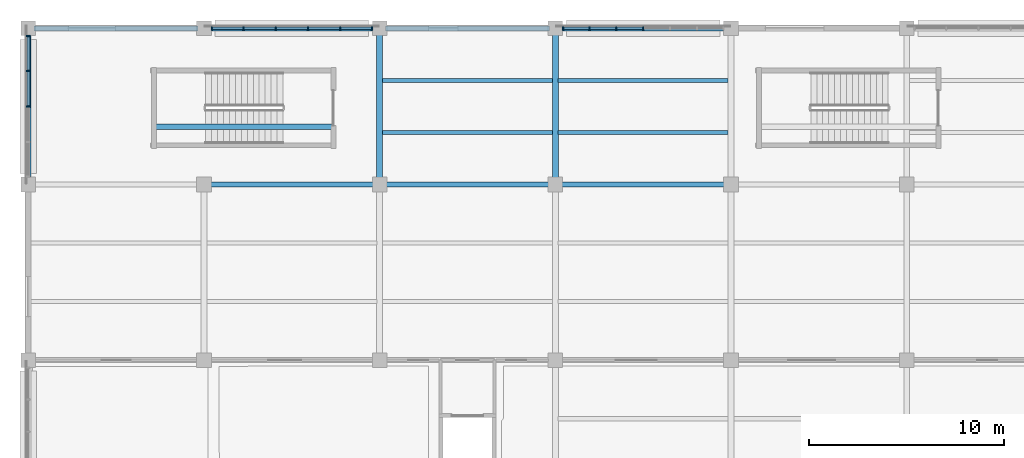
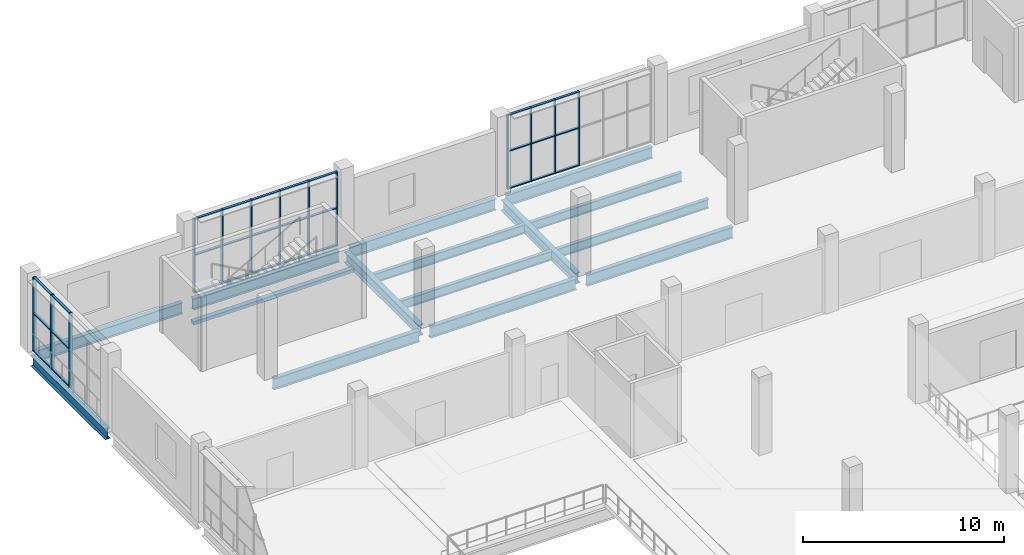
# One storey, part 54 of 179: 43 members, 15 beams, 3 elements without a shape of their own.
"""IFC4 building model written with IfcOpenShell, lengths in metres."""

import ifcopenshell
import ifcopenshell.guid

model = None  # the IFC model being written
_history = None  # IfcOwnerHistory: only IFC2X3 demands one
_inside = {}  # id of a spatial element -> (the spatial element, [elements in it])
_under = {}  # id of a project, library or spatial element -> (it, [spatial elements below it])
_declared = {}  # id of a project -> (the project, [libraries it declares])
_typed = {}  # id of a type object -> (the type object, [elements of that type])
_made_of = {}  # id of a material, layer set ... -> (it, [elements and type objects made of it])


def new_model(schema):
    """Start an empty IFC model of exactly this schema.

    Asked for "IFC4X3", IfcOpenShell would pick the latest addendum, in which some entities
    have other attributes; the version numbers below select the first issue.
    IFC2X3 requires an IfcOwnerHistory on every rooted entity: one is made here for all.
    """
    global model, _history
    if schema == "IFC4X3":
        model = ifcopenshell.file(schema_version=(4, 3, 0, 0))
    else:
        model = ifcopenshell.file(schema=schema)
    _inside.clear()
    _under.clear()
    _declared.clear()
    _typed.clear()
    _made_of.clear()
    _history = None
    if model.schema == "IFC2X3":
        org = make("IfcOrganization", Name="unknown")
        user = make(
            "IfcPersonAndOrganization",
            ThePerson=make("IfcPerson", FamilyName="unknown"),
            TheOrganization=org,
        )
        app = make(
            "IfcApplication",
            ApplicationDeveloper=org,
            Version="unknown",
            ApplicationFullName="unknown",
            ApplicationIdentifier="unknown",
        )
        _history = make(
            "IfcOwnerHistory",
            OwningUser=user,
            OwningApplication=app,
            ChangeAction="ADDED",
            CreationDate=0,
        )
    return model


def make(cls, **values):
    """One entity of the class cls with the attributes given. An attribute that is None is left unset."""
    return model.create_entity(
        cls, **{name: value for name, value in values.items() if value is not None}
    )


def rooted(cls, **values):
    """An entity with a GlobalId (a new one), such as an element, a storey or a relation."""
    return make(cls, GlobalId=ifcopenshell.guid.new(), OwnerHistory=_history, **values)


def si_unit(unit_type, name, prefix=None):
    """IfcSIUnit, for example si_unit("LENGTHUNIT", "METRE", prefix="MILLI")."""
    return make("IfcSIUnit", UnitType=unit_type, Prefix=prefix, Name=name)


def assignment(units):
    """IfcUnitAssignment: the units of a project."""
    return None if units is None else make("IfcUnitAssignment", Units=units)


def point(xyz):
    """IfcCartesianPoint."""
    return None if xyz is None else make("IfcCartesianPoint", Coordinates=xyz)


def direction(xyz):
    """IfcDirection."""
    return None if xyz is None else make("IfcDirection", DirectionRatios=xyz)


def frame(location, z_axis=None, x_axis=None):
    """IfcAxis2Placement3D, a coordinate frame: its origin and axes. An axis left out is left unset."""
    return make(
        "IfcAxis2Placement3D",
        Location=point(location),
        Axis=direction(z_axis),
        RefDirection=direction(x_axis),
    )


def frame_2d(location, x_axis=None):
    """IfcAxis2Placement2D, a coordinate frame in the plane: its origin and x axis."""
    return make(
        "IfcAxis2Placement2D", Location=point(location), RefDirection=direction(x_axis)
    )


def origin():
    """The frame at (0, 0, 0) with its axes left unset."""
    return frame((0.0, 0.0, 0.0))


def origin_2d():
    """The frame at (0, 0) in the plane with its x axis left unset."""
    return frame_2d((0.0, 0.0))


def place(relative_to, where):
    """IfcLocalPlacement: puts the frame where relative to a parent placement (None: the world)."""
    return make(
        "IfcLocalPlacement", PlacementRelTo=relative_to, RelativePlacement=where
    )


def context(
    kind, dimensions, precision=None, world=None, true_north=None, identifier=None
):
    """IfcGeometricRepresentationContext, for example the 3D "Model" context."""
    return make(
        "IfcGeometricRepresentationContext",
        ContextIdentifier=identifier,
        ContextType=kind,
        CoordinateSpaceDimension=dimensions,
        Precision=precision,
        WorldCoordinateSystem=world,
        TrueNorth=true_north,
    )


def subcontext(parent, identifier, kind, view, scale=None):
    """IfcGeometricRepresentationSubContext, for example "Body" below "Model"."""
    return make(
        "IfcGeometricRepresentationSubContext",
        ContextIdentifier=identifier,
        ContextType=kind,
        ParentContext=parent,
        TargetScale=scale,
        TargetView=view,
    )


def project(units=None, contexts=None):
    """IfcProject with its units and contexts."""
    return rooted(
        "IfcProject",
        Name="project",
        RepresentationContexts=contexts,
        UnitsInContext=assignment(units),
    )


def spatial(cls, under=None, at=None, **own):
    """A site, building, storey or space (cls), placed at a placement, below another one or the project."""
    s = rooted(cls, ObjectPlacement=at, **own)
    if under is not None:
        _under.setdefault(under.id(), (under, []))[1].append(s)
    return s


def profile(cls, at=None, kind="AREA", **sizes):
    """A parametric profile (cls). Its sizes go by their IFC names, for example OverallWidth=200.0."""
    return make(cls, ProfileType=kind, Position=at, **sizes)


def rectangle(**sizes):
    """IfcRectangleProfileDef."""
    return profile("IfcRectangleProfileDef", **sizes)


def i_section(**sizes):
    """IfcIShapeProfileDef."""
    return profile("IfcIShapeProfileDef", **sizes)


def extrude(swept, where, along, depth):
    """IfcExtrudedAreaSolid: the profile swept, set in the frame where, extruded along a direction by depth."""
    return make(
        "IfcExtrudedAreaSolid",
        SweptArea=swept,
        Position=where,
        ExtrudedDirection=direction(along),
        Depth=depth,
    )


def shape(context_of_items, identifier, shape_type, items):
    """IfcShapeRepresentation: the items that make up one representation, for example the "Body"."""
    return make(
        "IfcShapeRepresentation",
        ContextOfItems=context_of_items,
        RepresentationIdentifier=identifier,
        RepresentationType=shape_type,
        Items=items,
    )


def material(Name=None, Category=None):
    """IfcMaterial."""
    return make("IfcMaterial", Name=Name, Category=Category)


def material_profile(
    of_material, cross_section, Name=None, Category=None, Priority=None
):
    """IfcMaterialProfile: a cross section and its material."""
    return make(
        "IfcMaterialProfile",
        Name=Name,
        Material=of_material,
        Profile=cross_section,
        Priority=Priority,
        Category=Category,
    )


def profile_set(profiles, Name=None, composite=None):
    """IfcMaterialProfileSet."""
    return make(
        "IfcMaterialProfileSet",
        Name=Name,
        MaterialProfiles=profiles,
        CompositeProfile=composite,
    )


def made_of(thing, what):
    """Note that an element or type object is made of a material, layer set ...; save() writes the relation."""
    if what is not None:
        _made_of.setdefault(what.id(), (what, []))[1].append(thing)
    return thing


def type_object(cls, material=None, **own):
    """A type object (cls), such as IfcWallType, which elements share."""
    return made_of(rooted(cls, **own), material)


def element(
    cls,
    number,
    at=None,
    inside=None,
    cuts=None,
    type_object=None,
    material=None,
    context=None,
    identifier="Body",
    shape_type=None,
    held_by="IfcProductDefinitionShape",
    body=None,
    shapes=None,
    **own,
):
    """One element of the class cls, such as IfcWall. Its Tag is "e" and its number.

    at: its placement. inside: the storey or other place that contains it. cuts: it is an
    opening in that element (IfcRelVoidsElement). A single representation is given by context,
    identifier, shape_type and body (its items); several are given by shapes. held_by: the class
    of the entity that holds the representations. save() writes the other relations.
    """
    e = rooted(cls, Tag="e%d" % number, ObjectPlacement=at, **own)
    if body is not None:
        shapes = [shape(context, identifier, shape_type, body)]
    if shapes is not None:
        e.Representation = make(held_by, Representations=shapes)
    if inside is not None:
        _inside.setdefault(inside.id(), (inside, []))[1].append(e)
    if cuts is not None:
        rooted(
            "IfcRelVoidsElement", RelatingBuildingElement=cuts, RelatedOpeningElement=e
        )
    if type_object is not None:
        _typed.setdefault(type_object.id(), (type_object, []))[1].append(e)
    return made_of(e, material)


def aggregate(whole, parts):
    """IfcRelAggregates: a whole, such as a stair, and the parts it consists of."""
    return rooted("IfcRelAggregates", RelatingObject=whole, RelatedObjects=parts)


def save(model, path):
    """Write the relations noted so far, then the file.

    IfcRelAggregates (storeys below a building ...), IfcRelContainedInSpatialStructure (elements
    in a storey), IfcRelDefinesByType, IfcRelAssociatesMaterial and IfcRelDeclares: one each for
    every whole, place, type object, material and project.
    """
    for whole, parts in _under.values():
        aggregate(whole, parts)
    for where, things in _inside.values():
        rooted(
            "IfcRelContainedInSpatialStructure",
            RelatedElements=things,
            RelatingStructure=where,
        )
    for kind, things in _typed.values():
        rooted("IfcRelDefinesByType", RelatedObjects=things, RelatingType=kind)
    for what, things in _made_of.values():
        rooted("IfcRelAssociatesMaterial", RelatedObjects=things, RelatingMaterial=what)
    for by, libraries in _declared.values():
        rooted("IfcRelDeclares", RelatingContext=by, RelatedDefinitions=libraries)
    model.write(path)


model = new_model("IFC4")

# Units and contexts
model_context = context("Model", 3, precision=1e-05, world=origin(), true_north=direction((0.0, 1.0)))
body_context = subcontext(model_context, "Body", "Model", "MODEL_VIEW")
ifc_project = project(units=[si_unit("LENGTHUNIT", "METRE"), si_unit("AREAUNIT", "SQUARE_METRE"), si_unit("VOLUMEUNIT", "CUBIC_METRE"), si_unit("PLANEANGLEUNIT", "RADIAN"), si_unit("MASSUNIT", "GRAM", prefix="KILO")], contexts=[model_context])

# Site, building, storey
site_placement = place(None, origin())
site = spatial("IfcSite", under=ifc_project, at=site_placement, CompositionType="ELEMENT")
building_placement = place(site_placement, origin())
building = spatial("IfcBuilding", under=site, at=building_placement, Name="Zevraka Park Crest Stadium", CompositionType="ELEMENT")
storey_placement = place(building_placement, frame((0.0, 0.0, 10.199951171875)))
storey = spatial("IfcBuildingStorey", under=building, at=storey_placement, Name="L02", CompositionType="ELEMENT", Elevation=10.199951171875)

# Beams
ifc_material_1 = material(Name="Steel S355", Category="steel")
ifc_material_profile_1 = material_profile(ifc_material_1, i_section(OverallWidth=0.253662109375, OverallDepth=0.68359375, WebThickness=0.012451171875, FlangeThickness=0.01904296875, at=origin_2d()), Name="UKB 686x254x140")
ifc_profile_set_1 = profile_set([ifc_material_profile_1], Name="Steel S355")
beam_type_1 = type_object("IfcBeamType", Name="BG05", PredefinedType="BEAM", material=ifc_profile_set_1)
for number, where, z_axis, x_axis, name in (
    (1, (0.300048828125, 184.0, -0.629638671875), (1.0, 0.0, 0.0), (0.0, 1.0, 0.0), "Wing Girder BG05 L02-12/W"),
    (2, (9.300048828125, 176.0, -0.629638671875), (1.0, 0.0, 0.0), (0.0, 1.0, 0.0), "Wing Girder BG05 L02-23/V"),
    (3, (9.300048828125, 184.0, -0.629638671875), (1.0, 0.0, 0.0), (0.0, 1.0, 0.0), "Wing Girder BG05 L02-23/W"),
    (4, (18.300048828125, 176.0, -0.629638671875), (1.0, 0.0, 0.0), (0.0, 1.0, 0.0), "Wing Girder BG05 L02-34/V"),
    (5, (18.300048828125, 184.0, -0.629638671875), (1.0, 0.0, 0.0), (0.0, 1.0, 0.0), "Wing Girder BG05 L02-34/W"),
    (6, (27.300048828125, 176.0, -0.629638671875), (1.0, 0.0, 0.0), (0.0, 1.0, 0.0), "Wing Girder BG05 L02-45/V"),
    (7, (27.300048828125, 184.0, -0.629638671875), (1.0, 0.0, 0.0), (0.0, 1.0, 0.0), "Wing Girder BG05 L02-45/W"),
):
    element("IfcBeam", number, at=place(storey_placement, frame(where, z_axis=z_axis, x_axis=x_axis)), inside=storey, type_object=beam_type_1, Name=name, PredefinedType="BEAM", context=body_context, shape_type="SweptSolid", body=[
        extrude(i_section(OverallWidth=0.253662109375, OverallDepth=0.68359375, WebThickness=0.012451171875, FlangeThickness=0.01904296875, at=origin_2d()), origin(), (0.0, 0.0, 1.0), 8.39990234375),
    ])
ifc_material_2 = material(Name="Steel S355", Category="steel")
ifc_material_profile_2 = material_profile(ifc_material_2, i_section(OverallWidth=0.300048828125, OverallDepth=0.64990234375, WebThickness=0.01611328125, FlangeThickness=0.031005859375, at=origin_2d()), Name="HEB 650")
ifc_profile_set_2 = profile_set([ifc_material_profile_2], Name="Steel S355")
beam_type_2 = type_object("IfcBeamType", Name="BG07", PredefinedType="BEAM", material=ifc_profile_set_2)
for number, where, z_axis, x_axis, name in (
    (8, (0.0, 176.300048828125, -0.613037109375), (0.0, 1.0, 0.0), (-1.0, 0.0, 0.0), "Wing Girder BG07 L02-1/VW"),
    (9, (18.0, 176.300048828125, -0.613037109375), (0.0, 1.0, 0.0), (-1.0, 0.0, 0.0), "Wing Girder BG07 L02-3/VW"),
    (10, (27.0, 176.300048828125, -0.613037109375), (0.0, 1.0, 0.0), (-1.0, 0.0, 0.0), "Wing Girder BG07 L02-4/VW"),
):
    element("IfcBeam", number, at=place(storey_placement, frame(where, z_axis=z_axis, x_axis=x_axis)), inside=storey, type_object=beam_type_2, Name=name, PredefinedType="BEAM", context=body_context, shape_type="SweptSolid", body=[
        extrude(i_section(OverallWidth=0.300048828125, OverallDepth=0.64990234375, WebThickness=0.01611328125, FlangeThickness=0.031005859375, at=origin_2d()), origin(), (0.0, 0.0, 1.0), 7.39990234375),
    ])

# Curtain wall, members
ifc_material_3 = material(Name="Anodised architectural aluminium and laminated safety glass", Category="aluminium")
curtain_wall_type_1 = type_object("IfcCurtainWallType", Name="CW29", PredefinedType="NOTDEFINED", material=ifc_material_3)
curtain_wall_1_placement = place(storey_placement, origin())
curtain_wall_1 = element("IfcCurtainWall", 11, at=curtain_wall_1_placement, inside=storey, type_object=curtain_wall_type_1, Name="Wing Curtain Wall CW29 L02-NW-N2-2", PredefinedType="NOTDEFINED")
ifc_material_4 = material(Name="Anodised architectural aluminium", Category="aluminium")
ifc_material_profile_3 = material_profile(ifc_material_4, rectangle(XDim=0.179931640625, YDim=0.06494140625, at=origin_2d()), Name="ALU MULLION 180x65")
ifc_profile_set_3 = profile_set([ifc_material_profile_3], Name="Anodised architectural aluminium")
member_type_1 = type_object("IfcMemberType", Name="CM02", PredefinedType="MULLION", material=ifc_profile_set_3)
member_1_placement = place(storey_placement, frame((9.3974609375, 184.0, 0.0), z_axis=(0.0, 0.0, 1.0), x_axis=(0.0, 1.0, 0.0)))
member_1 = element("IfcMember", 12, at=member_1_placement, type_object=member_type_1, Name="CW29 mullion 1", PredefinedType="MULLION", context=body_context, shape_type="SweptSolid", body=[
    extrude(rectangle(XDim=0.179931640625, YDim=0.06494140625, at=origin_2d()), origin(), (0.0, 0.0, 1.0), 4.5),
])
member_2_placement = place(storey_placement, frame((11.01904296875, 184.0, 0.0), z_axis=(0.0, 0.0, 1.0), x_axis=(0.0, 1.0, 0.0)))
member_2 = element("IfcMember", 13, at=member_2_placement, type_object=member_type_1, Name="CW29 mullion 2", PredefinedType="MULLION", context=body_context, shape_type="SweptSolid", body=[
    extrude(rectangle(XDim=0.179931640625, YDim=0.06494140625, at=origin_2d()), origin(), (0.0, 0.0, 1.0), 4.5),
])
member_3_placement = place(storey_placement, frame((12.673095703125, 184.0, 0.0), z_axis=(0.0, 0.0, 1.0), x_axis=(0.0, 1.0, 0.0)))
member_3 = element("IfcMember", 14, at=member_3_placement, type_object=member_type_1, Name="CW29 mullion 3", PredefinedType="MULLION", context=body_context, shape_type="SweptSolid", body=[
    extrude(rectangle(XDim=0.179931640625, YDim=0.06494140625, at=origin_2d()), origin(), (0.0, 0.0, 1.0), 4.5),
])
member_4_placement = place(storey_placement, frame((14.326904296875, 184.0, 0.0), z_axis=(0.0, 0.0, 1.0), x_axis=(0.0, 1.0, 0.0)))
member_4 = element("IfcMember", 15, at=member_4_placement, type_object=member_type_1, Name="CW29 mullion 4", PredefinedType="MULLION", context=body_context, shape_type="SweptSolid", body=[
    extrude(rectangle(XDim=0.179931640625, YDim=0.06494140625, at=origin_2d()), origin(), (0.0, 0.0, 1.0), 4.5),
])
member_5_placement = place(storey_placement, frame((15.98095703125, 184.0, 0.0), z_axis=(0.0, 0.0, 1.0), x_axis=(0.0, 1.0, 0.0)))
member_5 = element("IfcMember", 16, at=member_5_placement, type_object=member_type_1, Name="CW29 mullion 5", PredefinedType="MULLION", context=body_context, shape_type="SweptSolid", body=[
    extrude(rectangle(XDim=0.179931640625, YDim=0.06494140625, at=origin_2d()), origin(), (0.0, 0.0, 1.0), 4.5),
])
member_6_placement = place(storey_placement, frame((17.6025390625, 184.0, 0.0), z_axis=(0.0, 0.0, 1.0), x_axis=(0.0, 1.0, 0.0)))
member_6 = element("IfcMember", 17, at=member_6_placement, type_object=member_type_1, Name="CW29 mullion 6", PredefinedType="MULLION", context=body_context, shape_type="SweptSolid", body=[
    extrude(rectangle(XDim=0.179931640625, YDim=0.06494140625, at=origin_2d()), origin(), (0.0, 0.0, 1.0), 4.5),
])

ifc_material_5 = material(Name="Anodised architectural aluminium and laminated safety glass", Category="aluminium")
curtain_wall_type_2 = type_object("IfcCurtainWallType", Name="CW26", PredefinedType="NOTDEFINED", material=ifc_material_5)
curtain_wall_2_placement = place(storey_placement, origin())
curtain_wall_2 = element("IfcCurtainWall", 18, at=curtain_wall_2_placement, inside=storey, type_object=curtain_wall_type_2, Name="Wing Curtain Wall CW26 L02-NW-N2-4", PredefinedType="NOTDEFINED")
member_7_placement = place(storey_placement, frame((27.3974609375, 184.0, 0.0), z_axis=(0.0, 0.0, 1.0), x_axis=(0.0, 1.0, 0.0)))
member_7 = element("IfcMember", 19, at=member_7_placement, type_object=member_type_1, Name="CW26 mullion 1", PredefinedType="MULLION", context=body_context, shape_type="SweptSolid", body=[
    extrude(rectangle(XDim=0.179931640625, YDim=0.06494140625, at=origin_2d()), origin(), (0.0, 0.0, 1.0), 4.5),
])
member_8_placement = place(storey_placement, frame((28.743408203125, 184.0, 0.0), z_axis=(0.0, 0.0, 1.0), x_axis=(0.0, 1.0, 0.0)))
member_8 = element("IfcMember", 20, at=member_8_placement, type_object=member_type_1, Name="CW26 mullion 2", PredefinedType="MULLION", context=body_context, shape_type="SweptSolid", body=[
    extrude(rectangle(XDim=0.179931640625, YDim=0.06494140625, at=origin_2d()), origin(), (0.0, 0.0, 1.0), 4.5),
])
member_9_placement = place(storey_placement, frame((30.12158203125, 184.0, 0.0), z_axis=(0.0, 0.0, 1.0), x_axis=(0.0, 1.0, 0.0)))
member_9 = element("IfcMember", 21, at=member_9_placement, type_object=member_type_1, Name="CW26 mullion 3", PredefinedType="MULLION", context=body_context, shape_type="SweptSolid", body=[
    extrude(rectangle(XDim=0.179931640625, YDim=0.06494140625, at=origin_2d()), origin(), (0.0, 0.0, 1.0), 4.5),
])
member_10_placement = place(storey_placement, frame((31.5, 184.0, 0.0), z_axis=(0.0, 0.0, 1.0), x_axis=(0.0, 1.0, 0.0)))
member_10 = element("IfcMember", 22, at=member_10_placement, type_object=member_type_1, Name="CW26 mullion 4", PredefinedType="MULLION", context=body_context, shape_type="SweptSolid", body=[
    extrude(rectangle(XDim=0.179931640625, YDim=0.06494140625, at=origin_2d()), origin(), (0.0, 0.0, 1.0), 4.5),
])

ifc_material_6 = material(Name="Anodised architectural aluminium and laminated safety glass", Category="aluminium")
curtain_wall_type_3 = type_object("IfcCurtainWallType", Name="CW30", PredefinedType="NOTDEFINED", material=ifc_material_6)
curtain_wall_3_placement = place(storey_placement, origin())
curtain_wall_3 = element("IfcCurtainWall", 23, at=curtain_wall_3_placement, inside=storey, type_object=curtain_wall_type_3, Name="Wing Curtain Wall CW30 L02-NW-W-8", PredefinedType="NOTDEFINED")
ifc_material_7 = material(Name="Anodised architectural aluminium", Category="aluminium")
ifc_material_profile_4 = material_profile(ifc_material_7, rectangle(XDim=0.199951171875, YDim=0.070068359375, at=origin_2d()), Name="ALU MULLION 200x70")
ifc_profile_set_4 = profile_set([ifc_material_profile_4], Name="Anodised architectural aluminium")
member_type_2 = type_object("IfcMemberType", Name="CM03", PredefinedType="MULLION", material=ifc_profile_set_4)
member_11_placement = place(storey_placement, frame((0.0, 180.0, 0.0), z_axis=(0.0, 0.0, 1.0), x_axis=(-1.0, 0.0, 0.0)))
member_11 = element("IfcMember", 24, at=member_11_placement, type_object=member_type_2, Name="CW30 mullion 3", PredefinedType="MULLION", context=body_context, shape_type="SweptSolid", body=[
    extrude(rectangle(XDim=0.199951171875, YDim=0.070068359375, at=origin_2d()), origin(), (0.0, 0.0, 1.0), 4.5),
])
member_12_placement = place(storey_placement, frame((0.0, 181.8173828125, 0.0), z_axis=(0.0, 0.0, 1.0), x_axis=(-1.0, 0.0, 0.0)))
member_12 = element("IfcMember", 25, at=member_12_placement, type_object=member_type_2, Name="CW30 mullion 4", PredefinedType="MULLION", context=body_context, shape_type="SweptSolid", body=[
    extrude(rectangle(XDim=0.199951171875, YDim=0.070068359375, at=origin_2d()), origin(), (0.0, 0.0, 1.0), 4.5),
])
member_13_placement = place(storey_placement, frame((0.0, 183.60009765625, 0.0), z_axis=(0.0, 0.0, 1.0), x_axis=(-1.0, 0.0, 0.0)))
member_13 = element("IfcMember", 26, at=member_13_placement, type_object=member_type_2, Name="CW30 mullion 5", PredefinedType="MULLION", context=body_context, shape_type="SweptSolid", body=[
    extrude(rectangle(XDim=0.199951171875, YDim=0.070068359375, at=origin_2d()), origin(), (0.0, 0.0, 1.0), 4.5),
])

# Member
ifc_material_8 = material(Name="Anodised architectural aluminium", Category="aluminium")
ifc_material_profile_5 = material_profile(ifc_material_8, rectangle(XDim=0.139892578125, YDim=0.06494140625, at=origin_2d()), Name="ALU TRANSOM 140x65")
ifc_profile_set_5 = profile_set([ifc_material_profile_5], Name="Anodised architectural aluminium")
member_type_3 = type_object("IfcMemberType", Name="CT02", PredefinedType="USERDEFINED", material=ifc_profile_set_5)
member_14_placement = place(storey_placement, frame((9.429931640625, 184.0, 0.032470703125), z_axis=(1.0, 0.0, 0.0), x_axis=(0.0, 1.0, 0.0)))
member_14 = element("IfcMember", 27, at=member_14_placement, type_object=member_type_3, Name="CW29 transom 1.1", ObjectType="TRANSOM", PredefinedType="USERDEFINED", context=body_context, shape_type="SweptSolid", body=[
    extrude(rectangle(XDim=0.139892578125, YDim=0.06494140625, at=origin_2d()), origin(), (0.0, 0.0, 1.0), 1.556640625),
])

member_15_placement = place(storey_placement, frame((9.429931640625, 184.0, 2.300048828125), z_axis=(1.0, 0.0, 0.0), x_axis=(0.0, 1.0, 0.0)))
member_15 = element("IfcMember", 28, at=member_15_placement, type_object=member_type_3, Name="CW29 transom 1.2", ObjectType="TRANSOM", PredefinedType="USERDEFINED", context=body_context, shape_type="SweptSolid", body=[
    extrude(rectangle(XDim=0.139892578125, YDim=0.06494140625, at=origin_2d()), origin(), (0.0, 0.0, 1.0), 1.556640625),
])

member_16_placement = place(storey_placement, frame((9.429931640625, 184.0, 4.467529296875), z_axis=(1.0, 0.0, 0.0), x_axis=(0.0, 1.0, 0.0)))
member_16 = element("IfcMember", 29, at=member_16_placement, type_object=member_type_3, Name="CW29 transom 1.3", ObjectType="TRANSOM", PredefinedType="USERDEFINED", context=body_context, shape_type="SweptSolid", body=[
    extrude(rectangle(XDim=0.139892578125, YDim=0.06494140625, at=origin_2d()), origin(), (0.0, 0.0, 1.0), 1.556640625),
])

member_17_placement = place(storey_placement, frame((11.051513671875, 184.0, 0.032470703125), z_axis=(1.0, 0.0, 0.0), x_axis=(0.0, 1.0, 0.0)))
member_17 = element("IfcMember", 30, at=member_17_placement, type_object=member_type_3, Name="CW29 transom 2.1", ObjectType="TRANSOM", PredefinedType="USERDEFINED", context=body_context, shape_type="SweptSolid", body=[
    extrude(rectangle(XDim=0.139892578125, YDim=0.06494140625, at=origin_2d()), origin(), (0.0, 0.0, 1.0), 1.5888671875),
])

member_18_placement = place(storey_placement, frame((11.051513671875, 184.0, 2.300048828125), z_axis=(1.0, 0.0, 0.0), x_axis=(0.0, 1.0, 0.0)))
member_18 = element("IfcMember", 31, at=member_18_placement, type_object=member_type_3, Name="CW29 transom 2.2", ObjectType="TRANSOM", PredefinedType="USERDEFINED", context=body_context, shape_type="SweptSolid", body=[
    extrude(rectangle(XDim=0.139892578125, YDim=0.06494140625, at=origin_2d()), origin(), (0.0, 0.0, 1.0), 1.5888671875),
])

member_19_placement = place(storey_placement, frame((11.051513671875, 184.0, 4.467529296875), z_axis=(1.0, 0.0, 0.0), x_axis=(0.0, 1.0, 0.0)))
member_19 = element("IfcMember", 32, at=member_19_placement, type_object=member_type_3, Name="CW29 transom 2.3", ObjectType="TRANSOM", PredefinedType="USERDEFINED", context=body_context, shape_type="SweptSolid", body=[
    extrude(rectangle(XDim=0.139892578125, YDim=0.06494140625, at=origin_2d()), origin(), (0.0, 0.0, 1.0), 1.5888671875),
])

member_20_placement = place(storey_placement, frame((12.70556640625, 184.0, 0.032470703125), z_axis=(1.0, 0.0, 0.0), x_axis=(0.0, 1.0, 0.0)))
member_20 = element("IfcMember", 33, at=member_20_placement, type_object=member_type_3, Name="CW29 transom 3.1", ObjectType="TRANSOM", PredefinedType="USERDEFINED", context=body_context, shape_type="SweptSolid", body=[
    extrude(rectangle(XDim=0.139892578125, YDim=0.06494140625, at=origin_2d()), origin(), (0.0, 0.0, 1.0), 1.5888671875),
])

member_21_placement = place(storey_placement, frame((12.70556640625, 184.0, 2.300048828125), z_axis=(1.0, 0.0, 0.0), x_axis=(0.0, 1.0, 0.0)))
member_21 = element("IfcMember", 34, at=member_21_placement, type_object=member_type_3, Name="CW29 transom 3.2", ObjectType="TRANSOM", PredefinedType="USERDEFINED", context=body_context, shape_type="SweptSolid", body=[
    extrude(rectangle(XDim=0.139892578125, YDim=0.06494140625, at=origin_2d()), origin(), (0.0, 0.0, 1.0), 1.5888671875),
])

member_22_placement = place(storey_placement, frame((12.70556640625, 184.0, 4.467529296875), z_axis=(1.0, 0.0, 0.0), x_axis=(0.0, 1.0, 0.0)))
member_22 = element("IfcMember", 35, at=member_22_placement, type_object=member_type_3, Name="CW29 transom 3.3", ObjectType="TRANSOM", PredefinedType="USERDEFINED", context=body_context, shape_type="SweptSolid", body=[
    extrude(rectangle(XDim=0.139892578125, YDim=0.06494140625, at=origin_2d()), origin(), (0.0, 0.0, 1.0), 1.5888671875),
])

member_23_placement = place(storey_placement, frame((14.359619140625, 184.0, 0.032470703125), z_axis=(1.0, 0.0, 0.0), x_axis=(0.0, 1.0, 0.0)))
member_23 = element("IfcMember", 36, at=member_23_placement, type_object=member_type_3, Name="CW29 transom 4.1", ObjectType="TRANSOM", PredefinedType="USERDEFINED", context=body_context, shape_type="SweptSolid", body=[
    extrude(rectangle(XDim=0.139892578125, YDim=0.06494140625, at=origin_2d()), origin(), (0.0, 0.0, 1.0), 1.5888671875),
])

member_24_placement = place(storey_placement, frame((14.359619140625, 184.0, 2.300048828125), z_axis=(1.0, 0.0, 0.0), x_axis=(0.0, 1.0, 0.0)))
member_24 = element("IfcMember", 37, at=member_24_placement, type_object=member_type_3, Name="CW29 transom 4.2", ObjectType="TRANSOM", PredefinedType="USERDEFINED", context=body_context, shape_type="SweptSolid", body=[
    extrude(rectangle(XDim=0.139892578125, YDim=0.06494140625, at=origin_2d()), origin(), (0.0, 0.0, 1.0), 1.5888671875),
])

member_25_placement = place(storey_placement, frame((14.359619140625, 184.0, 4.467529296875), z_axis=(1.0, 0.0, 0.0), x_axis=(0.0, 1.0, 0.0)))
member_25 = element("IfcMember", 38, at=member_25_placement, type_object=member_type_3, Name="CW29 transom 4.3", ObjectType="TRANSOM", PredefinedType="USERDEFINED", context=body_context, shape_type="SweptSolid", body=[
    extrude(rectangle(XDim=0.139892578125, YDim=0.06494140625, at=origin_2d()), origin(), (0.0, 0.0, 1.0), 1.5888671875),
])

member_26_placement = place(storey_placement, frame((16.013427734375, 184.0, 0.032470703125), z_axis=(1.0, 0.0, 0.0), x_axis=(0.0, 1.0, 0.0)))
member_26 = element("IfcMember", 39, at=member_26_placement, type_object=member_type_3, Name="CW29 transom 5.1", ObjectType="TRANSOM", PredefinedType="USERDEFINED", context=body_context, shape_type="SweptSolid", body=[
    extrude(rectangle(XDim=0.139892578125, YDim=0.06494140625, at=origin_2d()), origin(), (0.0, 0.0, 1.0), 1.556640625),
])

member_27_placement = place(storey_placement, frame((16.013427734375, 184.0, 2.300048828125), z_axis=(1.0, 0.0, 0.0), x_axis=(0.0, 1.0, 0.0)))
member_27 = element("IfcMember", 40, at=member_27_placement, type_object=member_type_3, Name="CW29 transom 5.2", ObjectType="TRANSOM", PredefinedType="USERDEFINED", context=body_context, shape_type="SweptSolid", body=[
    extrude(rectangle(XDim=0.139892578125, YDim=0.06494140625, at=origin_2d()), origin(), (0.0, 0.0, 1.0), 1.556640625),
])

member_28_placement = place(storey_placement, frame((16.013427734375, 184.0, 4.467529296875), z_axis=(1.0, 0.0, 0.0), x_axis=(0.0, 1.0, 0.0)))
member_28 = element("IfcMember", 41, at=member_28_placement, type_object=member_type_3, Name="CW29 transom 5.3", ObjectType="TRANSOM", PredefinedType="USERDEFINED", context=body_context, shape_type="SweptSolid", body=[
    extrude(rectangle(XDim=0.139892578125, YDim=0.06494140625, at=origin_2d()), origin(), (0.0, 0.0, 1.0), 1.556640625),
])

aggregate(curtain_wall_1, [member_1, member_2, member_3, member_4, member_5, member_6, member_14, member_15, member_16, member_17, member_18, member_19, member_20, member_21, member_22, member_23, member_24, member_25, member_26, member_27, member_28])

member_29_placement = place(storey_placement, frame((27.429931640625, 184.0, 0.032470703125), z_axis=(1.0, 0.0, 0.0), x_axis=(0.0, 1.0, 0.0)))
member_29 = element("IfcMember", 42, at=member_29_placement, type_object=member_type_3, Name="CW26 transom 1.1", ObjectType="TRANSOM", PredefinedType="USERDEFINED", context=body_context, shape_type="SweptSolid", body=[
    extrude(rectangle(XDim=0.139892578125, YDim=0.06494140625, at=origin_2d()), origin(), (0.0, 0.0, 1.0), 1.281005859375),
])

member_30_placement = place(storey_placement, frame((27.429931640625, 184.0, 2.300048828125), z_axis=(1.0, 0.0, 0.0), x_axis=(0.0, 1.0, 0.0)))
member_30 = element("IfcMember", 43, at=member_30_placement, type_object=member_type_3, Name="CW26 transom 1.2", ObjectType="TRANSOM", PredefinedType="USERDEFINED", context=body_context, shape_type="SweptSolid", body=[
    extrude(rectangle(XDim=0.139892578125, YDim=0.06494140625, at=origin_2d()), origin(), (0.0, 0.0, 1.0), 1.281005859375),
])

member_31_placement = place(storey_placement, frame((27.429931640625, 184.0, 4.467529296875), z_axis=(1.0, 0.0, 0.0), x_axis=(0.0, 1.0, 0.0)))
member_31 = element("IfcMember", 44, at=member_31_placement, type_object=member_type_3, Name="CW26 transom 1.3", ObjectType="TRANSOM", PredefinedType="USERDEFINED", context=body_context, shape_type="SweptSolid", body=[
    extrude(rectangle(XDim=0.139892578125, YDim=0.06494140625, at=origin_2d()), origin(), (0.0, 0.0, 1.0), 1.281005859375),
])

member_32_placement = place(storey_placement, frame((28.77587890625, 184.0, 0.032470703125), z_axis=(1.0, 0.0, 0.0), x_axis=(0.0, 1.0, 0.0)))
member_32 = element("IfcMember", 45, at=member_32_placement, type_object=member_type_3, Name="CW26 transom 2.1", ObjectType="TRANSOM", PredefinedType="USERDEFINED", context=body_context, shape_type="SweptSolid", body=[
    extrude(rectangle(XDim=0.139892578125, YDim=0.06494140625, at=origin_2d()), origin(), (0.0, 0.0, 1.0), 1.313232421875),
])

member_33_placement = place(storey_placement, frame((28.77587890625, 184.0, 2.300048828125), z_axis=(1.0, 0.0, 0.0), x_axis=(0.0, 1.0, 0.0)))
member_33 = element("IfcMember", 46, at=member_33_placement, type_object=member_type_3, Name="CW26 transom 2.2", ObjectType="TRANSOM", PredefinedType="USERDEFINED", context=body_context, shape_type="SweptSolid", body=[
    extrude(rectangle(XDim=0.139892578125, YDim=0.06494140625, at=origin_2d()), origin(), (0.0, 0.0, 1.0), 1.313232421875),
])

member_34_placement = place(storey_placement, frame((28.77587890625, 184.0, 4.467529296875), z_axis=(1.0, 0.0, 0.0), x_axis=(0.0, 1.0, 0.0)))
member_34 = element("IfcMember", 47, at=member_34_placement, type_object=member_type_3, Name="CW26 transom 2.3", ObjectType="TRANSOM", PredefinedType="USERDEFINED", context=body_context, shape_type="SweptSolid", body=[
    extrude(rectangle(XDim=0.139892578125, YDim=0.06494140625, at=origin_2d()), origin(), (0.0, 0.0, 1.0), 1.313232421875),
])

member_35_placement = place(storey_placement, frame((30.154052734375, 184.0, 0.032470703125), z_axis=(1.0, 0.0, 0.0), x_axis=(0.0, 1.0, 0.0)))
member_35 = element("IfcMember", 48, at=member_35_placement, type_object=member_type_3, Name="CW26 transom 3.1", ObjectType="TRANSOM", PredefinedType="USERDEFINED", context=body_context, shape_type="SweptSolid", body=[
    extrude(rectangle(XDim=0.139892578125, YDim=0.06494140625, at=origin_2d()), origin(), (0.0, 0.0, 1.0), 1.3134765625),
])

member_36_placement = place(storey_placement, frame((30.154052734375, 184.0, 2.300048828125), z_axis=(1.0, 0.0, 0.0), x_axis=(0.0, 1.0, 0.0)))
member_36 = element("IfcMember", 49, at=member_36_placement, type_object=member_type_3, Name="CW26 transom 3.2", ObjectType="TRANSOM", PredefinedType="USERDEFINED", context=body_context, shape_type="SweptSolid", body=[
    extrude(rectangle(XDim=0.139892578125, YDim=0.06494140625, at=origin_2d()), origin(), (0.0, 0.0, 1.0), 1.3134765625),
])

member_37_placement = place(storey_placement, frame((30.154052734375, 184.0, 4.467529296875), z_axis=(1.0, 0.0, 0.0), x_axis=(0.0, 1.0, 0.0)))
member_37 = element("IfcMember", 50, at=member_37_placement, type_object=member_type_3, Name="CW26 transom 3.3", ObjectType="TRANSOM", PredefinedType="USERDEFINED", context=body_context, shape_type="SweptSolid", body=[
    extrude(rectangle(XDim=0.139892578125, YDim=0.06494140625, at=origin_2d()), origin(), (0.0, 0.0, 1.0), 1.3134765625),
])

aggregate(curtain_wall_2, [member_7, member_8, member_9, member_10, member_29, member_30, member_31, member_32, member_33, member_34, member_35, member_36, member_37])

ifc_material_9 = material(Name="Anodised architectural aluminium", Category="aluminium")
ifc_material_profile_6 = material_profile(ifc_material_9, rectangle(XDim=0.14990234375, YDim=0.070068359375, at=origin_2d()), Name="ALU TRANSOM 150x70")
ifc_profile_set_6 = profile_set([ifc_material_profile_6], Name="Anodised architectural aluminium")
member_type_4 = type_object("IfcMemberType", Name="CT03", PredefinedType="USERDEFINED", material=ifc_profile_set_6)
member_38_placement = place(storey_placement, frame((0.0, 180.034912109375, 0.03515625), z_axis=(0.0, 1.0, 0.0), x_axis=(-1.0, 0.0, 0.0)))
member_38 = element("IfcMember", 51, at=member_38_placement, type_object=member_type_4, Name="CW30 transom 3.1", ObjectType="TRANSOM", PredefinedType="USERDEFINED", context=body_context, shape_type="SweptSolid", body=[
    extrude(rectangle(XDim=0.14990234375, YDim=0.070068359375, at=origin_2d()), origin(), (0.0, 0.0, 1.0), 1.74755859375),
])

member_39_placement = place(storey_placement, frame((0.0, 180.034912109375, 2.300048828125), z_axis=(0.0, 1.0, 0.0), x_axis=(-1.0, 0.0, 0.0)))
member_39 = element("IfcMember", 52, at=member_39_placement, type_object=member_type_4, Name="CW30 transom 3.2", ObjectType="TRANSOM", PredefinedType="USERDEFINED", context=body_context, shape_type="SweptSolid", body=[
    extrude(rectangle(XDim=0.14990234375, YDim=0.070068359375, at=origin_2d()), origin(), (0.0, 0.0, 1.0), 1.74755859375),
])

member_40_placement = place(storey_placement, frame((0.0, 180.034912109375, 4.465087890625), z_axis=(0.0, 1.0, 0.0), x_axis=(-1.0, 0.0, 0.0)))
member_40 = element("IfcMember", 53, at=member_40_placement, type_object=member_type_4, Name="CW30 transom 3.3", ObjectType="TRANSOM", PredefinedType="USERDEFINED", context=body_context, shape_type="SweptSolid", body=[
    extrude(rectangle(XDim=0.14990234375, YDim=0.070068359375, at=origin_2d()), origin(), (0.0, 0.0, 1.0), 1.74755859375),
])

member_41_placement = place(storey_placement, frame((0.0, 181.8525390625, 0.03515625), z_axis=(0.0, 1.0, 0.0), x_axis=(-1.0, 0.0, 0.0)))
member_41 = element("IfcMember", 54, at=member_41_placement, type_object=member_type_4, Name="CW30 transom 4.1", ObjectType="TRANSOM", PredefinedType="USERDEFINED", context=body_context, shape_type="SweptSolid", body=[
    extrude(rectangle(XDim=0.14990234375, YDim=0.070068359375, at=origin_2d()), origin(), (0.0, 0.0, 1.0), 1.71240234375),
])

member_42_placement = place(storey_placement, frame((0.0, 181.8525390625, 2.300048828125), z_axis=(0.0, 1.0, 0.0), x_axis=(-1.0, 0.0, 0.0)))
member_42 = element("IfcMember", 55, at=member_42_placement, type_object=member_type_4, Name="CW30 transom 4.2", ObjectType="TRANSOM", PredefinedType="USERDEFINED", context=body_context, shape_type="SweptSolid", body=[
    extrude(rectangle(XDim=0.14990234375, YDim=0.070068359375, at=origin_2d()), origin(), (0.0, 0.0, 1.0), 1.71240234375),
])

member_43_placement = place(storey_placement, frame((0.0, 181.8525390625, 4.465087890625), z_axis=(0.0, 1.0, 0.0), x_axis=(-1.0, 0.0, 0.0)))
member_43 = element("IfcMember", 56, at=member_43_placement, type_object=member_type_4, Name="CW30 transom 4.3", ObjectType="TRANSOM", PredefinedType="USERDEFINED", context=body_context, shape_type="SweptSolid", body=[
    extrude(rectangle(XDim=0.14990234375, YDim=0.070068359375, at=origin_2d()), origin(), (0.0, 0.0, 1.0), 1.71240234375),
])

aggregate(curtain_wall_3, [member_11, member_12, member_13, member_38, member_39, member_40, member_41, member_42, member_43])

# Beams
ifc_material_10 = material(Name="Steel S355", Category="steel")
ifc_material_profile_7 = material_profile(ifc_material_10, i_section(OverallWidth=0.2099609375, OverallDepth=0.550048828125, WebThickness=0.010986328125, FlangeThickness=0.01708984375, at=origin_2d()), Name="IPE 550")
ifc_profile_set_7 = profile_set([ifc_material_profile_7], Name="Steel S355")
beam_type_3 = type_object("IfcBeamType", Name="SJ04", PredefinedType="JOIST", material=ifc_profile_set_7)
for number, where, z_axis, x_axis, name in (
    (57, (18.14501953125, 178.6669921875, -0.56494140625), (1.0, 0.0, 0.0), (0.0, 1.0, 0.0), "Wing Joist SJ04 L02-3/V-1"),
    (58, (18.14501953125, 181.3330078125, -0.56494140625), (1.0, 0.0, 0.0), (0.0, 1.0, 0.0), "Wing Joist SJ04 L02-3/V-2"),
    (59, (27.14501953125, 178.6669921875, -0.56494140625), (1.0, 0.0, 0.0), (0.0, 1.0, 0.0), "Wing Joist SJ04 L02-4/V-1"),
    (60, (27.14501953125, 181.3330078125, -0.56494140625), (1.0, 0.0, 0.0), (0.0, 1.0, 0.0), "Wing Joist SJ04 L02-4/V-2"),
):
    element("IfcBeam", number, at=place(storey_placement, frame(where, z_axis=z_axis, x_axis=x_axis)), inside=storey, type_object=beam_type_3, Name=name, PredefinedType="JOIST", context=body_context, shape_type="SweptSolid", body=[
        extrude(i_section(OverallWidth=0.2099609375, OverallDepth=0.550048828125, WebThickness=0.010986328125, FlangeThickness=0.01708984375, at=origin_2d()), origin(), (0.0, 0.0, 1.0), 8.7099609375),
    ])
ifc_material_11 = material(Name="Concrete C40/50", Category="concrete")
ifc_material_profile_8 = material_profile(ifc_material_11, rectangle(XDim=0.280029296875, YDim=0.199951171875, at=origin_2d()), Name="RC 200x280")
ifc_profile_set_8 = profile_set([ifc_material_profile_8], Name="Concrete C40/50")
beam_type_4 = type_object("IfcBeamType", Name="SJ13", PredefinedType="JOIST", material=ifc_profile_set_8)
beam_placement = place(storey_placement, frame((15.60009765625, 178.965087890625, 2.300048828125), z_axis=(-1.0, 0.0, 0.0), x_axis=(0.0, -1.0, 0.0)))
element("IfcBeam", 61, at=beam_placement, inside=storey, type_object=beam_type_4, Name="Stair Upper-Flight Longitudinal Stringer SJ13 ST47-L02", PredefinedType="JOIST", context=body_context, shape_type="SweptSolid", body=[
    extrude(rectangle(XDim=0.280029296875, YDim=0.199951171875, at=origin_2d()), origin(), (0.0, 0.0, 1.0), 9.2001953125),
])

save(model, "model.ifc")
